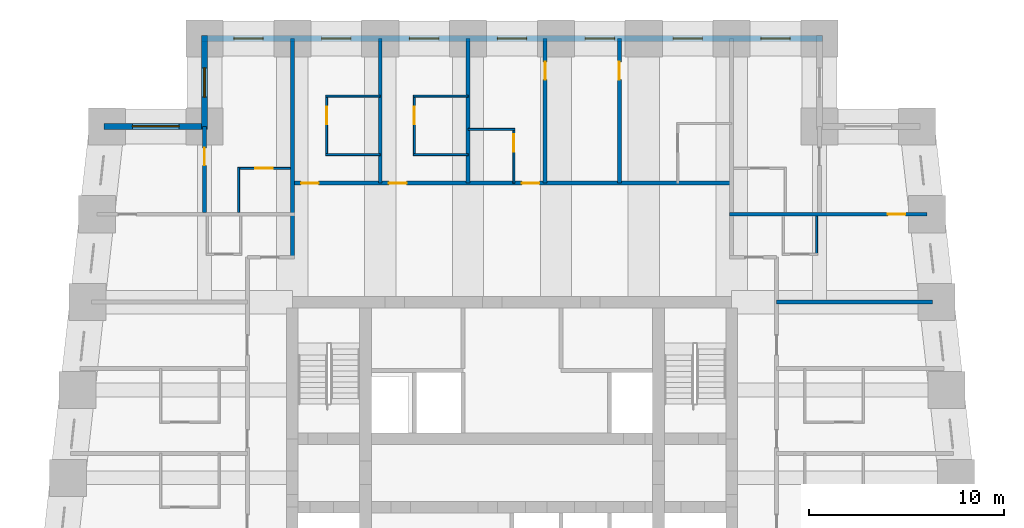
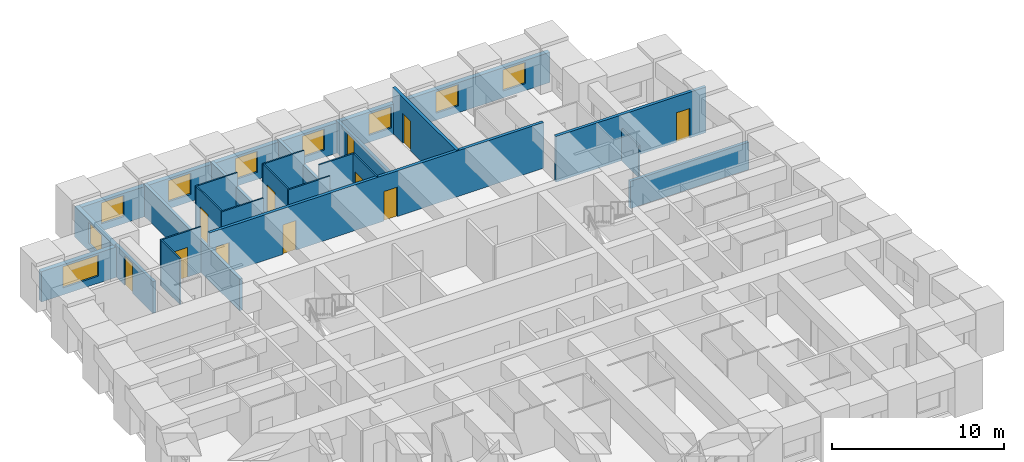
# One storey, part 6 of 8: 23 walls, 11 doors, 9 windows, 20 openings.
"""IFC4 building model written with IfcOpenShell, lengths in metres."""

from ifc_helpers import new_model, si_unit, direction, frame, frame_2d, origin, place, context, subcontext, project, spatial, rectangle, extrude, material, layer, layer_set, type_object, element, fill, save


model = new_model("IFC4")

# Units and contexts
model_context = context("Model", 3, precision=1e-05, world=origin(), true_north=direction((0.0, 1.0)))
body_context = subcontext(model_context, "Body", "Model", "MODEL_VIEW")
ifc_project = project(units=[si_unit("LENGTHUNIT", "METRE"), si_unit("AREAUNIT", "SQUARE_METRE"), si_unit("VOLUMEUNIT", "CUBIC_METRE"), si_unit("PLANEANGLEUNIT", "RADIAN"), si_unit("MASSUNIT", "GRAM", prefix="KILO")], contexts=[model_context])

# Site, building, storey
site_placement = place(None, origin())
site = spatial("IfcSite", under=ifc_project, at=site_placement, CompositionType="ELEMENT")
building_placement = place(site_placement, origin())
building = spatial("IfcBuilding", under=site, at=building_placement, Name="Kilele Tower Hotel", CompositionType="ELEMENT")
storey_placement = place(building_placement, frame((0.0, 0.0, 107.39990234375)))
storey = spatial("IfcBuildingStorey", under=building, at=storey_placement, Name="L27", CompositionType="ELEMENT", Elevation=107.39990234375)

# Walls
ifc_material_1 = material(Name="Moisture-resistant board")
ifc_layer_1 = layer(ifc_material_1, 0.10009765625)
ifc_layer_set_1 = layer_set([ifc_layer_1], Name="Moisture-resistant board")
wall_type_1 = type_object("IfcWallType", Name="Bathroom partition 100", PredefinedType="PLUMBINGWALL", material=ifc_layer_set_1)
for number, where, z_axis, x_axis, name in (
    (1, (15.199951171875, 34.550048828125, 0.0), (0.0, 0.0, 1.0), (1.0, 0.0, 0.0), "Bathroom partition 100 L27"),
    (2, (15.199951171875, 37.550048828125, 0.0), (0.0, 0.0, 1.0), (1.0, 0.0, 0.0), "Bathroom partition 100 L27"),
):
    element("IfcWall", number, at=place(storey_placement, frame(where, z_axis=z_axis, x_axis=x_axis)), inside=storey, type_object=wall_type_1, Name=name, PredefinedType="PLUMBINGWALL", context=body_context, shape_type="SweptSolid", body=[
        extrude(rectangle(XDim=2.800048828125, YDim=0.10009765625, at=frame_2d((1.39990234375, 0.0))), origin(), (0.0, 0.0, 1.0), 3.25),
    ])

# Wall, opening, door
wall_1_placement = place(storey_placement, frame((15.25, 34.5, 0.0), z_axis=(0.0, 0.0, 1.0), x_axis=(0.0, 1.0, 0.0)))
wall_1 = element("IfcWall", 3, at=wall_1_placement, inside=storey, type_object=wall_type_1, Name="Bathroom partition 100 L27", PredefinedType="PLUMBINGWALL", context=body_context, shape_type="SweptSolid", body=[
    extrude(rectangle(XDim=3.10009765625, YDim=0.10009765625, at=frame_2d((1.550048828125, 0.0))), origin(), (0.0, 0.0, 1.0), 3.25),
])
opening_1_placement = place(wall_1_placement, frame((1.60009765625, 0.0, 0.0)))
opening_1 = element("IfcOpeningElement", 4, at=opening_1_placement, cuts=wall_1, Name="Opening D2A", PredefinedType="OPENING", context=body_context, shape_type="SweptSolid", body=[
    extrude(rectangle(XDim=0.89990234375, YDim=2.10009765625, at=frame_2d((0.449951171875, 1.050048828125))), frame((0.0, 0.06005859375, 0.0), z_axis=(0.0, -1.0, 0.0), x_axis=(1.0, 0.0, 0.0)), (0.0, 0.0, 1.0), 0.1201171875),
])
ifc_material_2 = material(Name="Timber door leaf in hardwood frame", Category="wood")
door_type_1 = type_object("IfcDoorType", Name="Bathroom door 900", OperationType="SINGLE_SWING_LEFT", PredefinedType="DOOR", material=ifc_material_2)
door_1_placement = place(opening_1_placement, origin())
door_1 = element("IfcDoor", 5, at=door_1_placement, inside=storey, type_object=door_type_1, Name="Bathroom door 2709B", OperationType="SINGLE_SWING_RIGHT", OverallHeight=2.10009765625, OverallWidth=0.89990234375, PredefinedType="DOOR", context=body_context, shape_type="SweptSolid", body=[
    extrude(rectangle(XDim=0.89990234375, YDim=2.10009765625, at=frame_2d((0.449951171875, 1.050048828125))), frame((0.0, 0.02490234375, 0.0), z_axis=(0.0, -1.0, 0.0), x_axis=(1.0, 0.0, 0.0)), (0.0, 0.0, 1.0), 0.050048828125),
])
fill(opening_1, door_1)

# Walls
for number, where, z_axis, x_axis, name in (
    (6, (19.699951171875, 34.550048828125, 0.0), (0.0, 0.0, 1.0), (1.0, 0.0, 0.0), "Bathroom partition 100 L27"),
    (7, (19.699951171875, 37.550048828125, 0.0), (0.0, 0.0, 1.0), (1.0, 0.0, 0.0), "Bathroom partition 100 L27"),
):
    element("IfcWall", number, at=place(storey_placement, frame(where, z_axis=z_axis, x_axis=x_axis)), inside=storey, type_object=wall_type_1, Name=name, PredefinedType="PLUMBINGWALL", context=body_context, shape_type="SweptSolid", body=[
        extrude(rectangle(XDim=2.800048828125, YDim=0.10009765625, at=frame_2d((1.39990234375, 0.0))), origin(), (0.0, 0.0, 1.0), 3.25),
    ])

# Wall, opening, door
wall_2_placement = place(storey_placement, frame((19.75, 34.5, 0.0), z_axis=(0.0, 0.0, 1.0), x_axis=(0.0, 1.0, 0.0)))
wall_2 = element("IfcWall", 8, at=wall_2_placement, inside=storey, type_object=wall_type_1, Name="Bathroom partition 100 L27", PredefinedType="PLUMBINGWALL", context=body_context, shape_type="SweptSolid", body=[
    extrude(rectangle(XDim=3.10009765625, YDim=0.10009765625, at=frame_2d((1.550048828125, 0.0))), origin(), (0.0, 0.0, 1.0), 3.25),
])
opening_2_placement = place(wall_2_placement, frame((1.60009765625, 0.0, 0.0)))
opening_2 = element("IfcOpeningElement", 9, at=opening_2_placement, cuts=wall_2, Name="Opening D2A", PredefinedType="OPENING", context=body_context, shape_type="SweptSolid", body=[
    extrude(rectangle(XDim=0.89990234375, YDim=2.10009765625, at=frame_2d((0.449951171875, 1.050048828125))), frame((0.0, 0.06005859375, 0.0), z_axis=(0.0, -1.0, 0.0), x_axis=(1.0, 0.0, 0.0)), (0.0, 0.0, 1.0), 0.1201171875),
])
door_2_placement = place(opening_2_placement, origin())
door_2 = element("IfcDoor", 10, at=door_2_placement, inside=storey, type_object=door_type_1, Name="Bathroom door 2710B", OperationType="SINGLE_SWING_RIGHT", OverallHeight=2.10009765625, OverallWidth=0.89990234375, PredefinedType="DOOR", context=body_context, shape_type="SweptSolid", body=[
    extrude(rectangle(XDim=0.89990234375, YDim=2.10009765625, at=frame_2d((0.449951171875, 1.050048828125))), frame((0.0, 0.02490234375, 0.0), z_axis=(0.0, -1.0, 0.0), x_axis=(1.0, 0.0, 0.0)), (0.0, 0.0, 1.0), 0.050048828125),
])
fill(opening_2, door_2)

# Wall
wall_3_placement = place(storey_placement, frame((22.5, 35.85009765625, 0.0), z_axis=(0.0, 0.0, 1.0), x_axis=(1.0, 0.0, 0.0)))
element("IfcWall", 11, at=wall_3_placement, inside=storey, type_object=wall_type_1, Name="Bathroom partition 100 L27", PredefinedType="PLUMBINGWALL", context=body_context, shape_type="SweptSolid", body=[
    extrude(rectangle(XDim=2.39990234375, YDim=0.10009765625, at=frame_2d((1.199951171875, 0.0))), origin(), (0.0, 0.0, 1.0), 3.25),
])

# Wall, opening, door
wall_4_placement = place(storey_placement, frame((24.85009765625, 33.10009765625, 0.0), z_axis=(0.0, 0.0, 1.0), x_axis=(0.0, 1.0, 0.0)))
wall_4 = element("IfcWall", 12, at=wall_4_placement, inside=storey, type_object=wall_type_1, Name="Bathroom partition 100 L27", PredefinedType="PLUMBINGWALL", context=body_context, shape_type="SweptSolid", body=[
    extrude(rectangle(XDim=2.7998046875, YDim=0.10009765625, at=frame_2d((1.39990234375, 0.0))), origin(), (0.0, 0.0, 1.0), 3.25),
])
opening_3_placement = place(wall_4_placement, frame((2.5, 0.0, 0.0), z_axis=(0.0, 0.0, 1.0), x_axis=(-1.0, 0.0, 0.0)))
opening_3 = element("IfcOpeningElement", 13, at=opening_3_placement, cuts=wall_4, Name="Opening D2A", PredefinedType="OPENING", context=body_context, shape_type="SweptSolid", body=[
    extrude(rectangle(XDim=0.89990234375, YDim=2.10009765625, at=frame_2d((0.449951171875, 1.050048828125))), frame((0.0, 0.06005859375, 0.0), z_axis=(0.0, -1.0, 0.0), x_axis=(1.0, 0.0, 0.0)), (0.0, 0.0, 1.0), 0.1201171875),
])
door_3_placement = place(opening_3_placement, origin())
door_3 = element("IfcDoor", 14, at=door_3_placement, inside=storey, type_object=door_type_1, Name="Bathroom door 2711B", OperationType="SINGLE_SWING_RIGHT", OverallHeight=2.10009765625, OverallWidth=0.89990234375, PredefinedType="DOOR", context=body_context, shape_type="SweptSolid", body=[
    extrude(rectangle(XDim=0.89990234375, YDim=2.10009765625, at=frame_2d((0.449951171875, 1.050048828125))), frame((0.0, 0.02490234375, 0.0), z_axis=(0.0, -1.0, 0.0), x_axis=(1.0, 0.0, 0.0)), (0.0, 0.0, 1.0), 0.050048828125),
])
fill(opening_3, door_3)

# Walls
wall_5_placement = place(storey_placement, frame((40.35009765625, 31.39990234375, 0.0), z_axis=(0.0, 0.0, 1.0), x_axis=(0.0, -1.0, 0.0)))
element("IfcWall", 15, at=wall_5_placement, inside=storey, type_object=wall_type_1, Name="Bathroom partition 100 L27", PredefinedType="PLUMBINGWALL", context=body_context, shape_type="SweptSolid", body=[
    extrude(rectangle(XDim=2.0, YDim=0.10009765625, at=frame_2d((1.0, 0.0))), origin(), (0.0, 0.0, 1.0), 2.25),
])
wall_6_placement = place(storey_placement, frame((10.75, 31.60009765625, 0.0), z_axis=(0.0, 0.0, 1.0), x_axis=(0.0, 1.0, 0.0)))
element("IfcWall", 16, at=wall_6_placement, inside=storey, type_object=wall_type_1, Name="Bathroom partition 100 L27", PredefinedType="PLUMBINGWALL", context=body_context, shape_type="SweptSolid", body=[
    extrude(rectangle(XDim=2.2998046875, YDim=0.10009765625, at=frame_2d((1.14990234375, 0.0))), origin(), (0.0, 0.0, 1.0), 3.25),
])

# Wall, opening, door
wall_7_placement = place(storey_placement, frame((13.39990234375, 33.85009765625, 0.0), z_axis=(0.0, 0.0, 1.0), x_axis=(-1.0, 0.0, 0.0)))
wall_7 = element("IfcWall", 17, at=wall_7_placement, inside=storey, type_object=wall_type_1, Name="Bathroom partition 100 L27", PredefinedType="PLUMBINGWALL", context=body_context, shape_type="SweptSolid", body=[
    extrude(rectangle(XDim=2.699951171875, YDim=0.10009765625, at=frame_2d((1.35009765625, 0.0))), origin(), (0.0, 0.0, 1.0), 3.25),
])
opening_4_placement = place(wall_7_placement, frame((1.7998046875, 0.0, 0.0), z_axis=(0.0, 0.0, 1.0), x_axis=(-1.0, 0.0, 0.0)))
opening_4 = element("IfcOpeningElement", 18, at=opening_4_placement, cuts=wall_7, Name="Opening D2A", PredefinedType="OPENING", context=body_context, shape_type="SweptSolid", body=[
    extrude(rectangle(XDim=0.89990234375, YDim=2.10009765625, at=frame_2d((0.449951171875, 1.050048828125))), frame((0.0, 0.06005859375, 0.0), z_axis=(0.0, -1.0, 0.0), x_axis=(1.0, 0.0, 0.0)), (0.0, 0.0, 1.0), 0.1201171875),
])
door_4_placement = place(opening_4_placement, origin())
door_4 = element("IfcDoor", 19, at=door_4_placement, inside=storey, type_object=door_type_1, Name="Bathroom door 2727B", OperationType="SINGLE_SWING_RIGHT", OverallHeight=2.10009765625, OverallWidth=0.89990234375, PredefinedType="DOOR", context=body_context, shape_type="SweptSolid", body=[
    extrude(rectangle(XDim=0.89990234375, YDim=2.10009765625, at=frame_2d((0.449951171875, 1.050048828125))), frame((0.0, 0.02490234375, 0.0), z_axis=(0.0, -1.0, 0.0), x_axis=(1.0, 0.0, 0.0)), (0.0, 0.0, 1.0), 0.050048828125),
])
fill(opening_4, door_4)

# Wall, openings, doors
ifc_material_3 = material(Name="Blockwork, plastered both sides", Category="masonry")
ifc_layer_2 = layer(ifc_material_3, 0.199951171875)
ifc_layer_set_2 = layer_set([ifc_layer_2], Name="Blockwork, plastered both sides")
wall_type_2 = type_object("IfcWallType", Name="Corridor wall 200", PredefinedType="PARTITIONING", material=ifc_layer_set_2)
wall_8_placement = place(storey_placement, frame((13.5, 33.10009765625, 0.0), z_axis=(0.0, 0.0, 1.0), x_axis=(1.0, 0.0, 0.0)))
wall_8 = element("IfcWall", 20, at=wall_8_placement, inside=storey, type_object=wall_type_2, Name="Corridor wall 200 L27", PredefinedType="PARTITIONING", context=body_context, shape_type="SweptSolid", body=[
    extrude(rectangle(XDim=22.5, YDim=0.199951171875, at=frame_2d((11.25, 0.0))), origin(), (0.0, 0.0, 1.0), 3.25),
])
opening_5_placement = place(wall_8_placement, frame((0.449951171875, 0.0, 0.0)))
opening_5 = element("IfcOpeningElement", 21, at=opening_5_placement, cuts=wall_8, Name="Opening D1", PredefinedType="OPENING", context=body_context, shape_type="SweptSolid", body=[
    extrude(rectangle(XDim=0.89990234375, YDim=2.10009765625, at=frame_2d((0.449951171875, 1.050048828125))), frame((0.0, 0.10986328125, 0.0), z_axis=(0.0, -1.0, 0.0), x_axis=(1.0, 0.0, 0.0)), (0.0, 0.0, 1.0), 0.219970703125),
])
opening_6_placement = place(wall_8_placement, frame((4.949951171875, 0.0, 0.0)))
opening_6 = element("IfcOpeningElement", 22, at=opening_6_placement, cuts=wall_8, Name="Opening D1", PredefinedType="OPENING", context=body_context, shape_type="SweptSolid", body=[
    extrude(rectangle(XDim=0.89990234375, YDim=2.10009765625, at=frame_2d((0.449951171875, 1.050048828125))), frame((0.0, 0.10986328125, 0.0), z_axis=(0.0, -1.0, 0.0), x_axis=(1.0, 0.0, 0.0)), (0.0, 0.0, 1.0), 0.219970703125),
])
opening_7_placement = place(wall_8_placement, frame((11.75, 0.0, 0.0)))
opening_7 = element("IfcOpeningElement", 23, at=opening_7_placement, cuts=wall_8, Name="Opening D1", PredefinedType="OPENING", context=body_context, shape_type="SweptSolid", body=[
    extrude(rectangle(XDim=0.89990234375, YDim=2.10009765625, at=frame_2d((0.449951171875, 1.050048828125))), frame((0.0, 0.10986328125, 0.0), z_axis=(0.0, -1.0, 0.0), x_axis=(1.0, 0.0, 0.0)), (0.0, 0.0, 1.0), 0.219970703125),
])
ifc_material_4 = material(Name="Timber door leaf in hardwood frame", Category="wood")
door_type_2 = type_object("IfcDoorType", Name="Guest room entrance door 900", OperationType="SINGLE_SWING_LEFT", PredefinedType="DOOR", material=ifc_material_4)
door_5_placement = place(opening_5_placement, origin())
door_5 = element("IfcDoor", 24, at=door_5_placement, inside=storey, type_object=door_type_2, Name="Room entrance 2709", OperationType="SINGLE_SWING_LEFT", OverallHeight=2.10009765625, OverallWidth=0.89990234375, PredefinedType="DOOR", context=body_context, shape_type="SweptSolid", body=[
    extrude(rectangle(XDim=0.89990234375, YDim=2.10009765625, at=frame_2d((0.449951171875, 1.050048828125))), frame((0.0, 0.02490234375, 0.0), z_axis=(0.0, -1.0, 0.0), x_axis=(1.0, 0.0, 0.0)), (0.0, 0.0, 1.0), 0.050048828125),
])
fill(opening_5, door_5)
door_6_placement = place(opening_6_placement, origin())
door_6 = element("IfcDoor", 25, at=door_6_placement, inside=storey, type_object=door_type_2, Name="Room entrance 2710", OperationType="SINGLE_SWING_LEFT", OverallHeight=2.10009765625, OverallWidth=0.89990234375, PredefinedType="DOOR", context=body_context, shape_type="SweptSolid", body=[
    extrude(rectangle(XDim=0.89990234375, YDim=2.10009765625, at=frame_2d((0.449951171875, 1.050048828125))), frame((0.0, 0.02490234375, 0.0), z_axis=(0.0, -1.0, 0.0), x_axis=(1.0, 0.0, 0.0)), (0.0, 0.0, 1.0), 0.050048828125),
])
fill(opening_6, door_6)
door_7_placement = place(opening_7_placement, origin())
door_7 = element("IfcDoor", 26, at=door_7_placement, inside=storey, type_object=door_type_2, Name="Room entrance 2711", OperationType="SINGLE_SWING_RIGHT", OverallHeight=2.10009765625, OverallWidth=0.89990234375, PredefinedType="DOOR", context=body_context, shape_type="SweptSolid", body=[
    extrude(rectangle(XDim=0.89990234375, YDim=2.10009765625, at=frame_2d((0.449951171875, 1.050048828125))), frame((0.0, 0.02490234375, 0.0), z_axis=(0.0, -1.0, 0.0), x_axis=(1.0, 0.0, 0.0)), (0.0, 0.0, 1.0), 0.050048828125),
])
fill(opening_7, door_7)

# Wall, opening, door
ifc_material_5 = material(Name="Blockwork, plastered both sides", Category="masonry")
ifc_layer_3 = layer(ifc_material_5, 0.199951171875)
ifc_layer_set_3 = layer_set([ifc_layer_3], Name="Blockwork, plastered both sides")
wall_type_3 = type_object("IfcWallType", Name="Partition wall 200", PredefinedType="PARTITIONING", material=ifc_layer_set_3)
wall_9_placement = place(storey_placement, frame((9.0, 31.60009765625, 0.0), z_axis=(0.0, 0.0, 1.0), x_axis=(0.0, 1.0, 0.0)))
wall_9 = element("IfcWall", 27, at=wall_9_placement, inside=storey, type_object=wall_type_3, Name="Partition wall 200 L27", PredefinedType="PARTITIONING", context=body_context, shape_type="SweptSolid", body=[
    extrude(rectangle(XDim=4.39990234375, YDim=0.199951171875, at=frame_2d((2.199951171875, 0.0))), origin(), (0.0, 0.0, 1.0), 2.25),
])
opening_8_placement = place(wall_9_placement, frame((2.39990234375, 0.0, 0.0)))
opening_8 = element("IfcOpeningElement", 28, at=opening_8_placement, cuts=wall_9, Name="Opening D3", PredefinedType="OPENING", context=body_context, shape_type="SweptSolid", body=[
    extrude(rectangle(XDim=0.89990234375, YDim=2.10009765625, at=frame_2d((0.449951171875, 1.050048828125))), frame((0.0, 0.10986328125, 0.0), z_axis=(0.0, -1.0, 0.0), x_axis=(1.0, 0.0, 0.0)), (0.0, 0.0, 1.0), 0.219970703125),
])
ifc_material_6 = material(Name="Timber door leaf in hardwood frame", Category="wood")
door_type_3 = type_object("IfcDoorType", Name="Suite internal door 900", OperationType="SINGLE_SWING_LEFT", PredefinedType="DOOR", material=ifc_material_6)
door_8_placement = place(opening_8_placement, origin())
door_8 = element("IfcDoor", 29, at=door_8_placement, inside=storey, type_object=door_type_3, Name="Suite door 2728", OperationType="SINGLE_SWING_RIGHT", OverallHeight=2.10009765625, OverallWidth=0.89990234375, PredefinedType="DOOR", context=body_context, shape_type="SweptSolid", body=[
    extrude(rectangle(XDim=0.89990234375, YDim=2.10009765625, at=frame_2d((0.449951171875, 1.050048828125))), frame((0.0, 0.02490234375, 0.0), z_axis=(0.0, -1.0, 0.0), x_axis=(1.0, 0.0, 0.0)), (0.0, 0.0, 1.0), 0.050048828125),
])
fill(opening_8, door_8)

# Walls
ifc_material_7 = material(Name="Blockwork, plastered both sides", Category="masonry")
ifc_layer_4 = layer(ifc_material_7, 0.199951171875)
ifc_layer_set_4 = layer_set([ifc_layer_4], Name="Blockwork, plastered both sides")
wall_type_4 = type_object("IfcWallType", Name="Party wall 200", PredefinedType="PARTITIONING", material=ifc_layer_set_4)
for number, where, z_axis, x_axis, name in (
    (30, (18.0, 33.10009765625, 0.0), (0.0, 0.0, 1.0), (0.0, 1.0, 0.0), "Party wall 200 L27"),
    (31, (22.5, 33.10009765625, 0.0), (0.0, 0.0, 1.0), (0.0, 1.0, 0.0), "Party wall 200 L27"),
):
    element("IfcWall", number, at=place(storey_placement, frame(where, z_axis=z_axis, x_axis=x_axis)), inside=storey, type_object=wall_type_4, Name=name, PredefinedType="PARTITIONING", context=body_context, shape_type="SweptSolid", body=[
        extrude(rectangle(XDim=7.39990234375, YDim=0.199951171875, at=frame_2d((3.699951171875, 0.0))), origin(), (0.0, 0.0, 1.0), 2.25),
    ])

# Wall, opening, door
wall_10_placement = place(storey_placement, frame((26.449951171875, 33.10009765625, 0.0), z_axis=(0.0, 0.0, 1.0), x_axis=(0.0, 1.0, 0.0)))
wall_10 = element("IfcWall", 32, at=wall_10_placement, inside=storey, type_object=wall_type_4, Name="Party wall 200 L27", PredefinedType="PARTITIONING", context=body_context, shape_type="SweptSolid", body=[
    extrude(rectangle(XDim=7.39990234375, YDim=0.199951171875, at=frame_2d((3.699951171875, 0.0))), origin(), (0.0, 0.0, 1.0), 2.25),
])
opening_9_placement = place(wall_10_placement, frame((5.300048828125, 0.0, 0.0)))
opening_9 = element("IfcOpeningElement", 33, at=opening_9_placement, cuts=wall_10, Name="Opening D3", PredefinedType="OPENING", context=body_context, shape_type="SweptSolid", body=[
    extrude(rectangle(XDim=0.89990234375, YDim=2.10009765625, at=frame_2d((0.449951171875, 1.050048828125))), frame((0.0, 0.10986328125, 0.0), z_axis=(0.0, -1.0, 0.0), x_axis=(1.0, 0.0, 0.0)), (0.0, 0.0, 1.0), 0.219970703125),
])
door_9_placement = place(opening_9_placement, origin())
door_9 = element("IfcDoor", 34, at=door_9_placement, inside=storey, type_object=door_type_3, Name="Suite door 2712", OperationType="SINGLE_SWING_RIGHT", OverallHeight=2.10009765625, OverallWidth=0.89990234375, PredefinedType="DOOR", context=body_context, shape_type="SweptSolid", body=[
    extrude(rectangle(XDim=0.89990234375, YDim=2.10009765625, at=frame_2d((0.449951171875, 1.050048828125))), frame((0.0, 0.02490234375, 0.0), z_axis=(0.0, -1.0, 0.0), x_axis=(1.0, 0.0, 0.0)), (0.0, 0.0, 1.0), 0.050048828125),
])
fill(opening_9, door_9)

wall_11_placement = place(storey_placement, frame((30.25, 33.10009765625, 0.0), z_axis=(0.0, 0.0, 1.0), x_axis=(0.0, 1.0, 0.0)))
wall_11 = element("IfcWall", 35, at=wall_11_placement, inside=storey, type_object=wall_type_4, Name="Party wall 200 L27", PredefinedType="PARTITIONING", context=body_context, shape_type="SweptSolid", body=[
    extrude(rectangle(XDim=7.39990234375, YDim=0.199951171875, at=frame_2d((3.699951171875, 0.0))), origin(), (0.0, 0.0, 1.0), 3.25),
])
opening_10_placement = place(wall_11_placement, frame((5.300048828125, 0.0, 0.0)))
opening_10 = element("IfcOpeningElement", 36, at=opening_10_placement, cuts=wall_11, Name="Opening D3", PredefinedType="OPENING", context=body_context, shape_type="SweptSolid", body=[
    extrude(rectangle(XDim=0.89990234375, YDim=2.10009765625, at=frame_2d((0.449951171875, 1.050048828125))), frame((0.0, 0.10986328125, 0.0), z_axis=(0.0, -1.0, 0.0), x_axis=(1.0, 0.0, 0.0)), (0.0, 0.0, 1.0), 0.219970703125),
])
door_10_placement = place(opening_10_placement, origin())
door_10 = element("IfcDoor", 37, at=door_10_placement, inside=storey, type_object=door_type_3, Name="Suite door 2713", OperationType="SINGLE_SWING_RIGHT", OverallHeight=2.10009765625, OverallWidth=0.89990234375, PredefinedType="DOOR", context=body_context, shape_type="SweptSolid", body=[
    extrude(rectangle(XDim=0.89990234375, YDim=2.10009765625, at=frame_2d((0.449951171875, 1.050048828125))), frame((0.0, 0.02490234375, 0.0), z_axis=(0.0, -1.0, 0.0), x_axis=(1.0, 0.0, 0.0)), (0.0, 0.0, 1.0), 0.050048828125),
])
fill(opening_10, door_10)

# Wall
wall_12_placement = place(storey_placement, frame((38.300048828125, 27.0, 0.0), z_axis=(0.0, 0.0, 1.0), x_axis=(1.0, 0.0, 0.0)))
element("IfcWall", 38, at=wall_12_placement, inside=storey, type_object=wall_type_4, Name="Party wall 200 L27", PredefinedType="PARTITIONING", context=body_context, shape_type="SweptSolid", body=[
    extrude(rectangle(XDim=7.976806640625, YDim=0.199951171875, at=frame_2d((3.98828125, 0.0))), origin(), (0.0, 0.0, 1.0), 1.9501953125),
])

# Wall, opening, door
wall_13_placement = place(storey_placement, frame((35.89990234375, 31.5, 0.0), z_axis=(0.0, 0.0, 1.0), x_axis=(1.0, 0.0, 0.0)))
wall_13 = element("IfcWall", 39, at=wall_13_placement, inside=storey, type_object=wall_type_4, Name="Party wall 200 L27", PredefinedType="PARTITIONING", context=body_context, shape_type="SweptSolid", body=[
    extrude(rectangle(XDim=10.09912109375, YDim=0.199951171875, at=frame_2d((5.049560546875, 0.0))), origin(), (0.0, 0.0, 1.0), 3.25),
])
opening_11_placement = place(wall_13_placement, frame((8.09912109375, 0.0, 0.0)))
opening_11 = element("IfcOpeningElement", 40, at=opening_11_placement, cuts=wall_13, Name="Opening D3", PredefinedType="OPENING", context=body_context, shape_type="SweptSolid", body=[
    extrude(rectangle(XDim=0.89990234375, YDim=2.10009765625, at=frame_2d((0.449951171875, 1.050048828125))), frame((0.0, 0.10986328125, 0.0), z_axis=(0.0, -1.0, 0.0), x_axis=(1.0, 0.0, 0.0)), (0.0, 0.0, 1.0), 0.219970703125),
])
door_11_placement = place(opening_11_placement, origin())
door_11 = element("IfcDoor", 41, at=door_11_placement, inside=storey, type_object=door_type_3, Name="Suite door 2724", OperationType="SINGLE_SWING_RIGHT", OverallHeight=2.10009765625, OverallWidth=0.89990234375, PredefinedType="DOOR", context=body_context, shape_type="SweptSolid", body=[
    extrude(rectangle(XDim=0.89990234375, YDim=2.10009765625, at=frame_2d((0.449951171875, 1.050048828125))), frame((0.0, 0.02490234375, 0.0), z_axis=(0.0, -1.0, 0.0), x_axis=(1.0, 0.0, 0.0)), (0.0, 0.0, 1.0), 0.050048828125),
])
fill(opening_11, door_11)

# Wall
wall_14_placement = place(storey_placement, frame((13.5, 29.300048828125, 0.0), z_axis=(0.0, 0.0, 1.0), x_axis=(0.0, 1.0, 0.0)))
element("IfcWall", 42, at=wall_14_placement, inside=storey, type_object=wall_type_4, Name="Party wall 200 L27", PredefinedType="PARTITIONING", context=body_context, shape_type="SweptSolid", body=[
    extrude(rectangle(XDim=11.199951171875, YDim=0.199951171875, at=frame_2d((5.60009765625, 0.0))), origin(), (0.0, 0.0, 1.0), 2.25),
])

# Wall, openings, windows
ifc_material_8 = material(Name="Concrete C40/50 precast", Category="concrete")
ifc_layer_5 = layer(ifc_material_8, 0.260009765625, Name="Precast backing", Category="LoadBearing")
ifc_material_9 = material(Name="Reconstituted stone finish", Category="masonry")
ifc_layer_6 = layer(ifc_material_9, 0.0400390625, Name="Face mix", Category="Finish")
ifc_layer_set_5 = layer_set([ifc_layer_5, ifc_layer_6], Name="Precast concrete C40/50, reconstituted stone finish")
wall_type_5 = type_object("IfcWallType", Name="Precast stone facade wall 300", PredefinedType="STANDARD", material=ifc_layer_set_5)
wall_15_placement = place(storey_placement, frame((40.64990234375, 40.5, 0.0), z_axis=(0.0, 0.0, 1.0), x_axis=(-1.0, 0.0, 0.0)))
wall_15 = element("IfcWall", 43, at=wall_15_placement, inside=storey, type_object=wall_type_5, Name="Facade wall L27 edge 9", PredefinedType="STANDARD", context=body_context, shape_type="SweptSolid", body=[
    extrude(rectangle(XDim=31.7998046875, YDim=0.300048828125, at=frame_2d((15.89990234375, 0.0))), origin(), (0.0, 0.0, 1.0), 2.150146484375),
])
opening_12_placement = place(wall_15_placement, frame((1.64990234375, 0.0, 0.5)))
opening_12 = element("IfcOpeningElement", 44, at=opening_12_placement, cuts=wall_15, Name="Opening W2", PredefinedType="OPENING", context=body_context, shape_type="SweptSolid", body=[
    extrude(rectangle(XDim=1.5, YDim=1.5, at=frame_2d((0.75, 0.75))), frame((0.0, 0.159912109375, 0.0), z_axis=(0.0, -1.0, 0.0), x_axis=(1.0, 0.0, 0.0)), (0.0, 0.0, 1.0), 0.320068359375),
])
opening_13_placement = place(wall_15_placement, frame((6.14990234375, 0.0, 0.5)))
opening_13 = element("IfcOpeningElement", 45, at=opening_13_placement, cuts=wall_15, Name="Opening W2", PredefinedType="OPENING", context=body_context, shape_type="SweptSolid", body=[
    extrude(rectangle(XDim=1.5, YDim=1.5, at=frame_2d((0.75, 0.75))), frame((0.0, 0.159912109375, 0.0), z_axis=(0.0, -1.0, 0.0), x_axis=(1.0, 0.0, 0.0)), (0.0, 0.0, 1.0), 0.320068359375),
])
opening_14_placement = place(wall_15_placement, frame((10.64990234375, 0.0, 0.5)))
opening_14 = element("IfcOpeningElement", 46, at=opening_14_placement, cuts=wall_15, Name="Opening W2", PredefinedType="OPENING", context=body_context, shape_type="SweptSolid", body=[
    extrude(rectangle(XDim=1.5, YDim=1.5, at=frame_2d((0.75, 0.75))), frame((0.0, 0.159912109375, 0.0), z_axis=(0.0, -1.0, 0.0), x_axis=(1.0, 0.0, 0.0)), (0.0, 0.0, 1.0), 0.320068359375),
])
opening_15_placement = place(wall_15_placement, frame((15.14990234375, 0.0, 0.5)))
opening_15 = element("IfcOpeningElement", 47, at=opening_15_placement, cuts=wall_15, Name="Opening W2", PredefinedType="OPENING", context=body_context, shape_type="SweptSolid", body=[
    extrude(rectangle(XDim=1.5, YDim=1.5, at=frame_2d((0.75, 0.75))), frame((0.0, 0.159912109375, 0.0), z_axis=(0.0, -1.0, 0.0), x_axis=(1.0, 0.0, 0.0)), (0.0, 0.0, 1.0), 0.320068359375),
])
opening_16_placement = place(wall_15_placement, frame((19.64990234375, 0.0, 0.5)))
opening_16 = element("IfcOpeningElement", 48, at=opening_16_placement, cuts=wall_15, Name="Opening W2", PredefinedType="OPENING", context=body_context, shape_type="SweptSolid", body=[
    extrude(rectangle(XDim=1.5, YDim=1.5, at=frame_2d((0.75, 0.75))), frame((0.0, 0.159912109375, 0.0), z_axis=(0.0, -1.0, 0.0), x_axis=(1.0, 0.0, 0.0)), (0.0, 0.0, 1.0), 0.320068359375),
])
opening_17_placement = place(wall_15_placement, frame((24.14990234375, 0.0, 0.5)))
opening_17 = element("IfcOpeningElement", 49, at=opening_17_placement, cuts=wall_15, Name="Opening W2", PredefinedType="OPENING", context=body_context, shape_type="SweptSolid", body=[
    extrude(rectangle(XDim=1.5, YDim=1.5, at=frame_2d((0.75, 0.75))), frame((0.0, 0.159912109375, 0.0), z_axis=(0.0, -1.0, 0.0), x_axis=(1.0, 0.0, 0.0)), (0.0, 0.0, 1.0), 0.320068359375),
])
opening_18_placement = place(wall_15_placement, frame((28.64990234375, 0.0, 0.5)))
opening_18 = element("IfcOpeningElement", 50, at=opening_18_placement, cuts=wall_15, Name="Opening W2", PredefinedType="OPENING", context=body_context, shape_type="SweptSolid", body=[
    extrude(rectangle(XDim=1.5, YDim=1.5, at=frame_2d((0.75, 0.75))), frame((0.0, 0.159912109375, 0.0), z_axis=(0.0, -1.0, 0.0), x_axis=(1.0, 0.0, 0.0)), (0.0, 0.0, 1.0), 0.320068359375),
])
ifc_material_10 = material(Name="Aluminium frame, clear double glazing", Category="aluminium")
window_type_1 = type_object("IfcWindowType", Name="Window W2 1500 x 1500", PartitioningType="SINGLE_PANEL", PredefinedType="WINDOW", material=ifc_material_10)
window_1_placement = place(opening_12_placement, origin())
window_1 = element("IfcWindow", 51, at=window_1_placement, inside=storey, type_object=window_type_1, Name="Window L27", OverallHeight=1.5, OverallWidth=1.5, PartitioningType="SINGLE_PANEL", PredefinedType="WINDOW", context=body_context, shape_type="SweptSolid", body=[
    extrude(rectangle(XDim=1.5, YDim=1.5, at=frame_2d((0.75, 0.75))), frame((0.0, 0.030029296875, 0.0), z_axis=(0.0, -1.0, 0.0), x_axis=(1.0, 0.0, 0.0)), (0.0, 0.0, 1.0), 0.06005859375),
])
fill(opening_12, window_1)
window_2_placement = place(opening_13_placement, origin())
window_2 = element("IfcWindow", 52, at=window_2_placement, inside=storey, type_object=window_type_1, Name="Window L27", OverallHeight=1.5, OverallWidth=1.5, PartitioningType="SINGLE_PANEL", PredefinedType="WINDOW", context=body_context, shape_type="SweptSolid", body=[
    extrude(rectangle(XDim=1.5, YDim=1.5, at=frame_2d((0.75, 0.75))), frame((0.0, 0.030029296875, 0.0), z_axis=(0.0, -1.0, 0.0), x_axis=(1.0, 0.0, 0.0)), (0.0, 0.0, 1.0), 0.06005859375),
])
fill(opening_13, window_2)
window_3_placement = place(opening_14_placement, origin())
window_3 = element("IfcWindow", 53, at=window_3_placement, inside=storey, type_object=window_type_1, Name="Window L27", OverallHeight=1.5, OverallWidth=1.5, PartitioningType="SINGLE_PANEL", PredefinedType="WINDOW", context=body_context, shape_type="SweptSolid", body=[
    extrude(rectangle(XDim=1.5, YDim=1.5, at=frame_2d((0.75, 0.75))), frame((0.0, 0.030029296875, 0.0), z_axis=(0.0, -1.0, 0.0), x_axis=(1.0, 0.0, 0.0)), (0.0, 0.0, 1.0), 0.06005859375),
])
fill(opening_14, window_3)
window_4_placement = place(opening_15_placement, origin())
window_4 = element("IfcWindow", 54, at=window_4_placement, inside=storey, type_object=window_type_1, Name="Window L27", OverallHeight=1.5, OverallWidth=1.5, PartitioningType="SINGLE_PANEL", PredefinedType="WINDOW", context=body_context, shape_type="SweptSolid", body=[
    extrude(rectangle(XDim=1.5, YDim=1.5, at=frame_2d((0.75, 0.75))), frame((0.0, 0.030029296875, 0.0), z_axis=(0.0, -1.0, 0.0), x_axis=(1.0, 0.0, 0.0)), (0.0, 0.0, 1.0), 0.06005859375),
])
fill(opening_15, window_4)
window_5_placement = place(opening_16_placement, origin())
window_5 = element("IfcWindow", 55, at=window_5_placement, inside=storey, type_object=window_type_1, Name="Window L27", OverallHeight=1.5, OverallWidth=1.5, PartitioningType="SINGLE_PANEL", PredefinedType="WINDOW", context=body_context, shape_type="SweptSolid", body=[
    extrude(rectangle(XDim=1.5, YDim=1.5, at=frame_2d((0.75, 0.75))), frame((0.0, 0.030029296875, 0.0), z_axis=(0.0, -1.0, 0.0), x_axis=(1.0, 0.0, 0.0)), (0.0, 0.0, 1.0), 0.06005859375),
])
fill(opening_16, window_5)
window_6_placement = place(opening_17_placement, origin())
window_6 = element("IfcWindow", 56, at=window_6_placement, inside=storey, type_object=window_type_1, Name="Window L27", OverallHeight=1.5, OverallWidth=1.5, PartitioningType="SINGLE_PANEL", PredefinedType="WINDOW", context=body_context, shape_type="SweptSolid", body=[
    extrude(rectangle(XDim=1.5, YDim=1.5, at=frame_2d((0.75, 0.75))), frame((0.0, 0.030029296875, 0.0), z_axis=(0.0, -1.0, 0.0), x_axis=(1.0, 0.0, 0.0)), (0.0, 0.0, 1.0), 0.06005859375),
])
fill(opening_17, window_6)
window_7_placement = place(opening_18_placement, origin())
window_7 = element("IfcWindow", 57, at=window_7_placement, inside=storey, type_object=window_type_1, Name="Window L27", OverallHeight=1.5, OverallWidth=1.5, PartitioningType="SINGLE_PANEL", PredefinedType="WINDOW", context=body_context, shape_type="SweptSolid", body=[
    extrude(rectangle(XDim=1.5, YDim=1.5, at=frame_2d((0.75, 0.75))), frame((0.0, 0.030029296875, 0.0), z_axis=(0.0, -1.0, 0.0), x_axis=(1.0, 0.0, 0.0)), (0.0, 0.0, 1.0), 0.06005859375),
])
fill(opening_18, window_7)

# Wall, opening, window
wall_16_placement = place(storey_placement, frame((9.0, 40.64990234375, 0.0), z_axis=(0.0, 0.0, 1.0), x_axis=(0.0, -1.0, 0.0)))
wall_16 = element("IfcWall", 58, at=wall_16_placement, inside=storey, type_object=wall_type_5, Name="Facade wall L27 edge 10", PredefinedType="STANDARD", context=body_context, shape_type="SweptSolid", body=[
    extrude(rectangle(XDim=4.7998046875, YDim=0.300048828125, at=frame_2d((2.39990234375, 0.0))), origin(), (0.0, 0.0, 1.0), 2.150146484375),
])
opening_19_placement = place(wall_16_placement, frame((1.64990234375, 0.0, 0.5)))
opening_19 = element("IfcOpeningElement", 59, at=opening_19_placement, cuts=wall_16, Name="Opening W2", PredefinedType="OPENING", context=body_context, shape_type="SweptSolid", body=[
    extrude(rectangle(XDim=1.5, YDim=1.5, at=frame_2d((0.75, 0.75))), frame((0.0, 0.159912109375, 0.0), z_axis=(0.0, -1.0, 0.0), x_axis=(1.0, 0.0, 0.0)), (0.0, 0.0, 1.0), 0.320068359375),
])
window_8_placement = place(opening_19_placement, origin())
window_8 = element("IfcWindow", 60, at=window_8_placement, inside=storey, type_object=window_type_1, Name="Window L27", OverallHeight=1.5, OverallWidth=1.5, PartitioningType="SINGLE_PANEL", PredefinedType="WINDOW", context=body_context, shape_type="SweptSolid", body=[
    extrude(rectangle(XDim=1.5, YDim=1.5, at=frame_2d((0.75, 0.75))), frame((0.0, 0.030029296875, 0.0), z_axis=(0.0, -1.0, 0.0), x_axis=(1.0, 0.0, 0.0)), (0.0, 0.0, 1.0), 0.06005859375),
])
fill(opening_19, window_8)

wall_17_placement = place(storey_placement, frame((9.14990234375, 36.0, 0.0), z_axis=(0.0, 0.0, 1.0), x_axis=(-1.0, 0.0, 0.0)))
wall_17 = element("IfcWall", 61, at=wall_17_placement, inside=storey, type_object=wall_type_5, Name="Facade wall L27 edge 11", PredefinedType="STANDARD", context=body_context, shape_type="SweptSolid", body=[
    extrude(rectangle(XDim=5.2998046875, YDim=0.300048828125, at=frame_2d((2.64990234375, 0.0))), origin(), (0.0, 0.0, 1.0), 2.150146484375),
])
opening_20_placement = place(wall_17_placement, frame((1.449951171875, 0.0, 0.5)))
opening_20 = element("IfcOpeningElement", 62, at=opening_20_placement, cuts=wall_17, Name="Opening W2", PredefinedType="OPENING", context=body_context, shape_type="SweptSolid", body=[
    extrude(rectangle(XDim=2.39990234375, YDim=1.5, at=frame_2d((1.199951171875, 0.75))), frame((0.0, 0.159912109375, 0.0), z_axis=(0.0, -1.0, 0.0), x_axis=(1.0, 0.0, 0.0)), (0.0, 0.0, 1.0), 0.320068359375),
])
ifc_material_11 = material(Name="Aluminium frame, clear double glazing", Category="aluminium")
window_type_2 = type_object("IfcWindowType", Name="Window W2 2400 x 1500", PartitioningType="SINGLE_PANEL", PredefinedType="WINDOW", material=ifc_material_11)
window_9_placement = place(opening_20_placement, origin())
window_9 = element("IfcWindow", 63, at=window_9_placement, inside=storey, type_object=window_type_2, Name="Window L27", OverallHeight=1.5, OverallWidth=2.39990234375, PartitioningType="SINGLE_PANEL", PredefinedType="WINDOW", context=body_context, shape_type="SweptSolid", body=[
    extrude(rectangle(XDim=2.39990234375, YDim=1.5, at=frame_2d((1.199951171875, 0.75))), frame((0.0, 0.030029296875, 0.0), z_axis=(0.0, -1.0, 0.0), x_axis=(1.0, 0.0, 0.0)), (0.0, 0.0, 1.0), 0.06005859375),
])
fill(opening_20, window_9)

save(model, "model.ifc")
